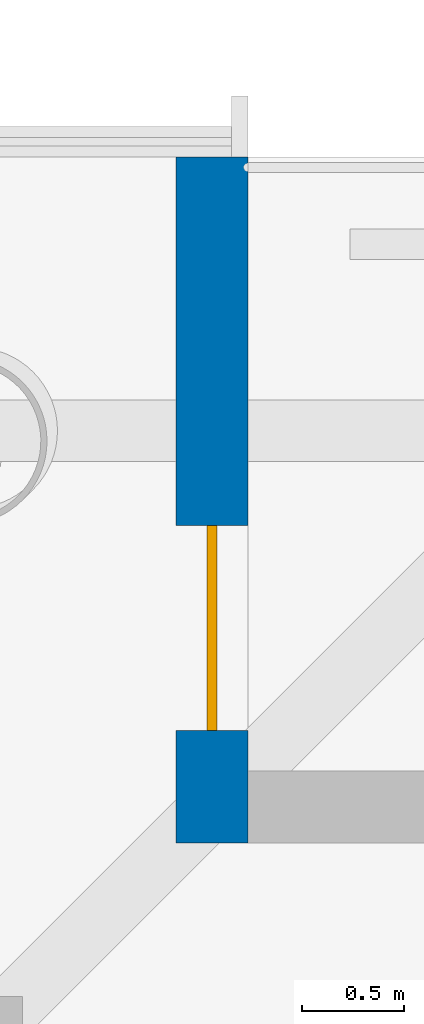
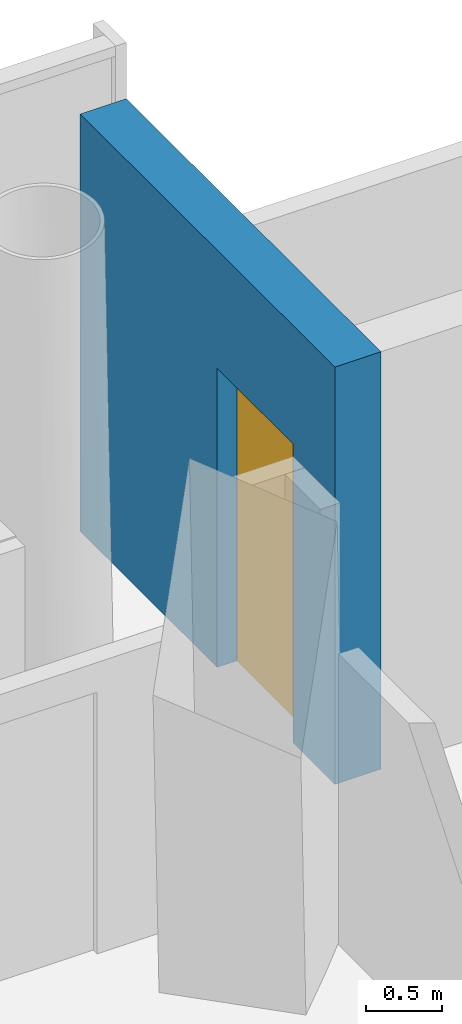
# One storey, part 16 of 19: 1 door, 1 wall, 1 opening.
"""IFC4 building model written with IfcOpenShell, lengths in metres."""

from ifc_helpers import new_model, si_unit, direction, frame, frame_2d, origin, place, context, subcontext, project, spatial, rectangle, extrude, material, layer, layer_set, type_object, element, fill, save


model = new_model("IFC4")

# Units and contexts
model_context = context("Model", 3, precision=1e-05, world=origin(), true_north=direction((0.0, 1.0)))
body_context = subcontext(model_context, "Body", "Model", "MODEL_VIEW")
ifc_project = project(units=[si_unit("LENGTHUNIT", "METRE"), si_unit("AREAUNIT", "SQUARE_METRE"), si_unit("VOLUMEUNIT", "CUBIC_METRE"), si_unit("PLANEANGLEUNIT", "RADIAN"), si_unit("MASSUNIT", "GRAM", prefix="KILO")], contexts=[model_context])

# Site, building, storey
site_placement = place(None, origin())
site = spatial("IfcSite", under=ifc_project, at=site_placement, CompositionType="ELEMENT")
building_placement = place(site_placement, origin())
building = spatial("IfcBuilding", under=site, at=building_placement, Name="Ostroluk Exchange", CompositionType="ELEMENT")
storey_placement = place(building_placement, frame((0.0, 0.0, 127.39990234375)))
storey = spatial("IfcBuildingStorey", under=building, at=storey_placement, Name="L32", CompositionType="ELEMENT", Elevation=127.39990234375)

# Wall, opening, door
ifc_material_1 = material(Name="Limestone", Category="masonry")
ifc_layer = layer(ifc_material_1, 0.35009765625)
ifc_layer_set = layer_set([ifc_layer], Name="Limestone facade wall 350")
wall_type = type_object("IfcWallType", Name="Limestone facade wall 350", PredefinedType="SOLIDWALL", material=ifc_layer_set)
wall_placement = place(storey_placement, frame((129.574951171875, 61.75, 0.0), z_axis=(0.0, 0.0, 1.0), x_axis=(0.0, -1.0, 0.0)))
wall = element("IfcWall", 1, at=wall_placement, inside=storey, type_object=wall_type, Name="Hotel tower NE corner wall L32 a", PredefinedType="SOLIDWALL", context=body_context, shape_type="SweptSolid", body=[
    extrude(rectangle(XDim=3.35009765625, YDim=0.35009765625, at=frame_2d((1.675048828125, 0.0))), origin(), (0.0, 0.0, 1.0), 3.35009765625),
])
opening_placement = place(wall_placement, frame((1.800048828125, 0.0, 0.0)))
opening = element("IfcOpeningElement", 2, at=opening_placement, cuts=wall, Name="Opening D-B1", PredefinedType="OPENING", context=body_context, shape_type="SweptSolid", body=[
    extrude(rectangle(XDim=1.0, YDim=2.39990234375, at=frame_2d((0.5, 1.199951171875))), frame((0.0, 0.18505859375, 0.0), z_axis=(0.0, -1.0, 0.0), x_axis=(1.0, 0.0, 0.0)), (0.0, 0.0, 1.0), 0.3701171875),
])
ifc_material_2 = material(Name="Bronze framed glazed door", Category="aluminium")
door_type = type_object("IfcDoorType", Name="Balcony door 1000 x 2400", OperationType="SINGLE_SWING_LEFT", PredefinedType="DOOR", material=ifc_material_2)
door_placement = place(opening_placement, origin())
door = element("IfcDoor", 3, at=door_placement, inside=storey, type_object=door_type, Name="Hotel tower NE balcony door L32", OperationType="SINGLE_SWING_RIGHT", OverallHeight=2.39990234375, OverallWidth=1.0, PredefinedType="DOOR", context=body_context, shape_type="SweptSolid", body=[
    extrude(rectangle(XDim=1.0, YDim=2.39990234375, at=frame_2d((0.5, 1.199951171875))), frame((0.0, 0.02490234375, 0.0), z_axis=(0.0, -1.0, 0.0), x_axis=(1.0, 0.0, 0.0)), (0.0, 0.0, 1.0), 0.050048828125),
])
fill(opening, door)

save(model, "model.ifc")
